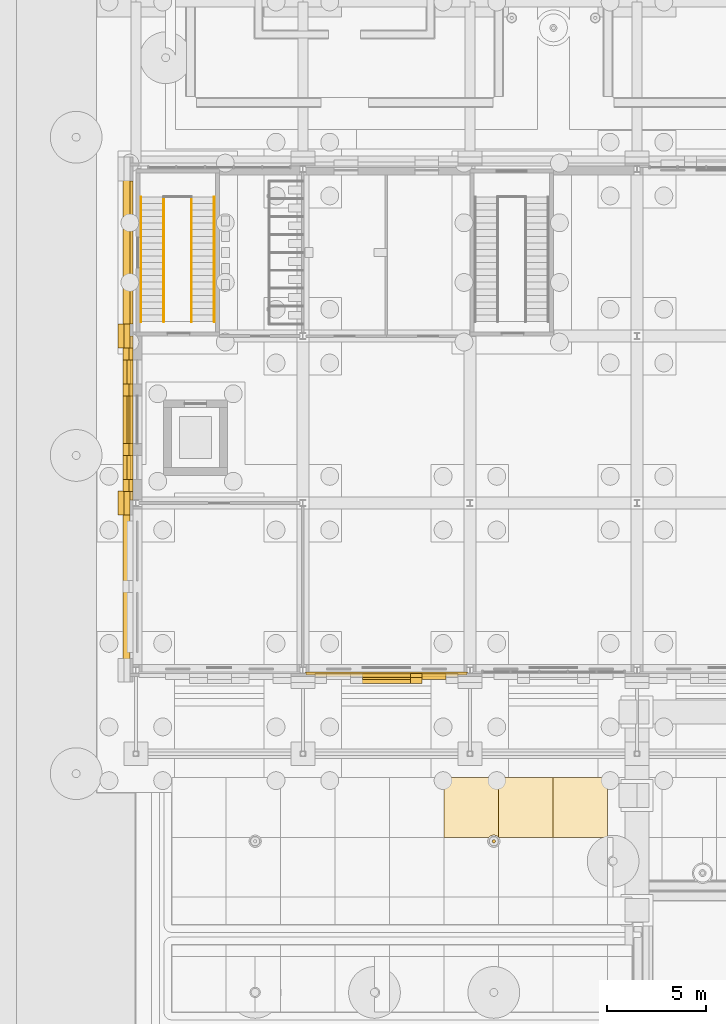
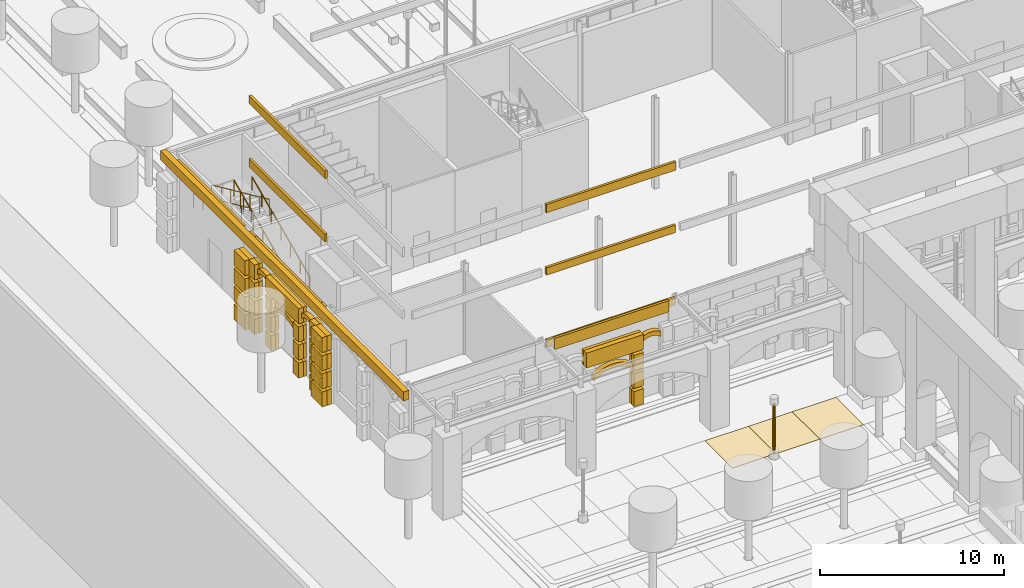
# One storey, part 116 of 222: 73 coverings, 4 railings.
"""IFC4 building model written with IfcOpenShell, lengths in metres."""

from ifc_helpers import new_model, si_unit, direction, frame, origin, origin_2d, place, context, subcontext, project, spatial, polyline, rectangle, circle, outline, extrude, material, layer, layer_set, type_object, element, save


model = new_model("IFC4")

# Units and contexts
model_context = context("Model", 3, precision=1e-05, world=origin(), true_north=direction((0.0, 1.0)))
body_context = subcontext(model_context, "Body", "Model", "MODEL_VIEW")
ifc_project = project(units=[si_unit("LENGTHUNIT", "METRE"), si_unit("AREAUNIT", "SQUARE_METRE"), si_unit("VOLUMEUNIT", "CUBIC_METRE"), si_unit("PLANEANGLEUNIT", "RADIAN"), si_unit("MASSUNIT", "GRAM", prefix="KILO")], contexts=[model_context])

# Site, building, storey
site_placement = place(None, origin())
site = spatial("IfcSite", under=ifc_project, at=site_placement, CompositionType="ELEMENT")
building_placement = place(site_placement, origin())
building = spatial("IfcBuilding", under=site, at=building_placement, Name="Sava Quay Ferry Terminal", CompositionType="ELEMENT")
storey_placement = place(building_placement, origin())
storey = spatial("IfcBuildingStorey", under=building, at=storey_placement, Name="L00", CompositionType="ELEMENT", Elevation=0.0)

# Coverings
ifc_material_1 = material(Name="Limestone Mutalj", Category="masonry")
ifc_layer_1 = layer(ifc_material_1, 0.300048828125)
ifc_layer_set_1 = layer_set([ifc_layer_1], Name="Limestone Mutalj")
covering_type_1 = type_object("IfcCoveringType", Name="Arch band 280", PredefinedType="MOLDING", material=ifc_layer_set_1)
covering_1_placement = place(storey_placement, frame((11.39990234375, 24.739990234375, 2.39990234375), z_axis=(0.0, -1.0, 0.0), x_axis=(0.781799047793, 0.0, 0.623530471485)))
element("IfcCovering", 1, at=covering_1_placement, inside=storey, type_object=covering_type_1, Name="Arch band", PredefinedType="MOLDING", context=body_context, shape_type="SweptSolid", body=[
    extrude(outline(polyline([(0.0, 0.0), (0.30697176602161635, 0.0), (0.5774085434796663, -0.04580853795661438), (0.8203304901851645, -0.12650744631600952), (1.0396182836542218, -0.23644793741188397), (1.2375940004611985, -0.37311007564911686), (1.4148665570821546, -0.5357303853950979), (1.57082703704103, -0.7250723422824374), (1.7033442326716173, -0.9438081110252711), (1.8081557286415, -1.1972820210518706), (1.8764322360478165, -1.4965644690350846), (2.1040147689750315, -1.2112154513470075), (2.0113816025263374, -0.9424720286682031), (1.8924127984880728, -0.7067489270997916), (1.7513707721926535, -0.4987018172135014), (1.590995647782347, -0.31489505866258605), (1.4122007999712425, -0.1541834379981306), (1.2157473743544143, -0.01561261067937214), (1.000874225336788, 0.09986307875292655), (0.766477109296122, 0.19125064596886504), (0.5101976399064538, 0.2548099923836675), (0.2275825329272151, 0.2853490176880771), (0.0, 0.0)])), origin(), (0.0, 0.0, -1.0), 0.300048828125),
])
covering_2_placement = place(storey_placement, frame((14.39990234375, 24.739990234375, 3.89990234375), z_axis=(0.0, -1.0, 0.0), x_axis=(0.766686318179, 0.0, 0.642021876199)))
element("IfcCovering", 2, at=covering_2_placement, inside=storey, type_object=covering_type_1, Name="Arch band", PredefinedType="MOLDING", context=body_context, shape_type="SweptSolid", body=[
    extrude(outline(polyline([(0.0, 0.0), (0.15667057654730215, -1.3877787807814457e-17), (0.29293404656438327, -0.02398938309786766), (0.414337308134961, -0.06610472040016957), (0.5230139006591377, -0.1230376562322823), (0.6205921316676617, -0.19360424362325043), (0.7071983091278714, -0.2772733803971569), (0.7823317665186302, -0.3742626814856812), (0.8451129134167863, -0.48638306834825396), (0.8926594933146406, -0.6163159221710233), (0.9201733252360722, -0.7705516463358979), (1.1491757571516024, -0.49708272278628407), (1.0994043308893047, -0.3694264559410845), (1.0385345431113546, -0.2554038406547403), (0.9677594714851411, -0.1528295969140227), (0.8883939362971753, -0.06089413630177459), (0.8003770662378966, 0.021090386980039788), (0.7042095278284416, 0.09334158786309998), (0.5997650131014718, 0.15532836417148896), (0.4863556762589516, 0.20698984459564596), (0.3634154141219664, 0.2468894662299388), (0.22900243191553027, 0.27346892354961383), (0.0, 0.0)])), origin(), (0.0, 0.0, -1.0), 0.300048828125),
])
covering_3_placement = place(storey_placement, frame((-0.14990234375, 36.60009765625, 2.39990234375), z_axis=(1.0, 0.0, 0.0), x_axis=(0.0, 0.781799047793, 0.623530471485)))
element("IfcCovering", 3, at=covering_3_placement, inside=storey, type_object=covering_type_1, Name="Arch band", PredefinedType="MOLDING", context=body_context, shape_type="SweptSolid", body=[
    extrude(outline(polyline([(0.0, 0.0), (0.30697176602161635, 0.0), (0.5774085434796663, -0.04580853795661438), (0.820139621277012, -0.12635521719699466), (1.0394274147460691, -0.23629570829286917), (1.237403131553046, -0.37295784653010206), (1.4146756881740021, -0.5355781562760831), (1.5706361681328775, -0.7249201131634224), (1.7031533637634648, -0.9436558819062563), (1.8079648597333475, -1.1971297919328558), (1.876241367139664, -1.4964122399160698), (2.103823900066879, -1.2110632222279927), (2.011190733618185, -0.9423197995491883), (1.8922219295799203, -0.7065966979807768), (1.751179903284501, -0.49854958809448635), (1.5908047788741946, -0.31474282954357125), (1.41200993106309, -0.1540312088791158), (1.2155565054462616, -0.015460381560357339), (1.0006833564286355, 0.1000153078719414), (0.766477109296122, 0.19125064596886504), (0.5101976399064538, 0.2548099923836675), (0.2275825329272151, 0.2853490176880771), (0.0, 0.0)])), origin(), (0.0, 0.0, -1.0), 0.300048828125),
])
for number, where, z_axis, x_axis, name in (
    (4, (-0.14990234375, 34.800048828125, 3.89990234375), (1.0, 0.0, 0.0), (0.0, 0.766042844353, 0.642789515017), "Arch band"),
    (5, (-0.14990234375, 39.60009765625, 3.89990234375), (1.0, 0.0, 0.0), (0.0, 0.766042844353, 0.642789515017), "Arch band"),
):
    element("IfcCovering", number, at=place(storey_placement, frame(where, z_axis=z_axis, x_axis=x_axis)), inside=storey, type_object=covering_type_1, Name=name, PredefinedType="MOLDING", context=body_context, shape_type="SweptSolid", body=[
        extrude(outline(polyline([(0.0, 0.0), (0.1564834757725232, 0.0), (0.29290987034562144, -0.02428279209876255), (0.4140838634817109, -0.06636278232810475), (0.522890396081421, -0.12356147789515273), (0.6202108720586751, -0.19406883930165053), (0.706733197838947, -0.2778246842578833), (0.781769466996763, -0.374889195053566), (0.8444382756181996, -0.4870724111869544), (0.8918546828026273, -0.6170528254509224), (0.9192140087876302, -0.771316031813653), (1.14849024937354, -0.4980766285911245), (1.098846716569099, -0.3703705716175788), (1.0380911714997962, -0.2562870425513622), (0.9674188801474346, -0.15364195753662468), (0.8881454730732465, -0.0616270455684631), (0.8002107679875174, 0.020445599778596002), (0.7043026713157206, 0.09263616079426751), (0.5997332766323826, 0.15488445518883656), (0.48656276622721817, 0.20650257653682963), (0.3634755095389949, 0.24668225383334366), (0.2292762405859099, 0.27323940322252854), (0.0, 0.0)])), origin(), (0.0, 0.0, -1.0), 0.300048828125),
    ])
ifc_material_2 = material(Name="Limestone Mutalj", Category="masonry")
ifc_layer_2 = layer(ifc_material_2, 0.35009765625)
ifc_layer_set_2 = layer_set([ifc_layer_2], Name="Limestone Mutalj")
covering_type_2 = type_object("IfcCoveringType", Name="Base course 600", PredefinedType="MOLDING", material=ifc_layer_set_2)
covering_4_placement = place(storey_placement, frame((-0.47509765625, 37.800048828125, 5.39990234375), z_axis=(0.0, 0.0, 1.0), x_axis=(1.0, 0.0, 0.0)))
element("IfcCovering", 6, at=covering_4_placement, inside=storey, type_object=covering_type_2, Name="Base course W W", PredefinedType="MOLDING", context=body_context, shape_type="SweptSolid", body=[
    extrude(rectangle(XDim=0.35009765625, YDim=26.39990234375, at=origin_2d()), origin(), (0.0, 0.0, 1.0), 0.60009765625),
])
ifc_material_3 = material(Name="Limestone Mutalj", Category="masonry")
ifc_layer_3 = layer(ifc_material_3, 0.030029296875)
ifc_layer_set_3 = layer_set([ifc_layer_3], Name="Limestone Mutalj")
covering_type_3 = type_object("IfcCoveringType", Name="Court paving tile 30", PredefinedType="FLOORING", material=ifc_layer_set_3)
covering_5_placement = place(storey_placement, origin())
element("IfcCovering", 7, at=covering_5_placement, inside=storey, type_object=covering_type_3, Name="Limestone paving tile", PredefinedType="FLOORING", context=body_context, shape_type="SweptSolid", body=[
    extrude(outline(polyline([(18.239990234375, 16.800048828125), (18.239990234375, 19.800048828125), (15.5, 19.800048828125), (15.5, 16.800048828125), (17.762939453125, 16.800048828125), (17.781005859375, 16.820068359375), (17.802978515625, 16.839111328125), (17.826904296875, 16.85693359375), (17.85302734375, 16.873046875), (17.881103515625, 16.885986328125), (17.909912109375, 16.89599609375), (17.93994140625, 16.904052734375), (17.969970703125, 16.908935546875), (18.0, 16.909912109375), (18.031005859375, 16.907958984375), (18.06103515625, 16.904052734375), (18.090087890625, 16.89599609375), (18.118896484375, 16.885986328125), (18.14697265625, 16.873046875), (18.173095703125, 16.85693359375), (18.197021484375, 16.839111328125), (18.218994140625, 16.820068359375), (18.237060546875, 16.800048828125), (18.239990234375, 16.800048828125)])), origin(), (0.0, 0.0, 1.0), 0.030029296875),
])
covering_6_placement = place(storey_placement, origin())
element("IfcCovering", 8, at=covering_6_placement, inside=storey, type_object=covering_type_3, Name="Limestone paving tile", PredefinedType="FLOORING", context=body_context, shape_type="SweptSolid", body=[
    extrude(outline(polyline([(23.719970703125, 16.800048828125), (23.719970703125, 19.800048828125), (20.97998046875, 19.800048828125), (20.97998046875, 16.800048828125), (23.719970703125, 16.800048828125)])), origin(), (0.0, 0.0, 1.0), 0.030029296875),
])
ifc_material_4 = material(Name="Red sandstone Vrsac", Category="masonry")
ifc_layer_4 = layer(ifc_material_4, 0.030029296875)
ifc_layer_set_4 = layer_set([ifc_layer_4], Name="Red sandstone Vrsac")
covering_type_4 = type_object("IfcCoveringType", Name="Court paving tile sandstone 30", PredefinedType="FLOORING", material=ifc_layer_set_4)
covering_7_placement = place(storey_placement, origin())
element("IfcCovering", 9, at=covering_7_placement, inside=storey, type_object=covering_type_4, Name="Sandstone paving tile", PredefinedType="FLOORING", context=body_context, shape_type="SweptSolid", body=[
    extrude(outline(polyline([(20.97998046875, 16.800048828125), (20.97998046875, 19.800048828125), (18.239990234375, 19.800048828125), (18.239990234375, 16.800048828125), (20.97998046875, 16.800048828125)])), origin(), (0.0, 0.0, 1.0), 0.030029296875),
])

# Railings
ifc_material_5 = material(Name="Steel S355", Category="steel")
railing_type_1 = type_object("IfcRailingType", Name="Guard 1100", PredefinedType="GUARDRAIL", material=ifc_material_5)
railing_1_placement = place(storey_placement, frame((2.800048828125, 42.72998046875, 0.14990234375)))
element("IfcRailing", 10, at=railing_1_placement, inside=storey, type_object=railing_type_1, Name="Guard at stair well ST-W1 L00", PredefinedType="GUARDRAIL", context=body_context, shape_type="SweptSolid", body=[
    extrude(circle(Radius=0.02392578125, at=origin_2d()), frame((0.0, 0.0, 1.076171875), z_axis=(0.0, 0.910361621584, 0.413813627068), x_axis=(-1.0, 0.0, 0.0)), (0.0, 0.0, 1.0), 6.887451171875),
    extrude(circle(Radius=0.02099609375, at=origin_2d()), origin(), (0.0, 0.0, 1.0), 1.052001953125),
    extrude(circle(Radius=0.02099609375, at=origin_2d()), frame((0.0, 1.044921875, 0.47509765625)), (0.0, 0.0, 1.0), 1.052001953125),
    extrude(circle(Radius=0.02099609375, at=origin_2d()), frame((0.0, 2.090087890625, 0.949951171875)), (0.0, 0.0, 1.0), 1.052001953125),
    extrude(circle(Radius=0.02099609375, at=origin_2d()), frame((0.0, 3.135009765625, 1.425048828125)), (0.0, 0.0, 1.0), 1.052001953125),
    extrude(circle(Radius=0.02099609375, at=origin_2d()), frame((0.0, 4.179931640625, 1.900146484375)), (0.0, 0.0, 1.0), 1.052001953125),
    extrude(circle(Radius=0.02099609375, at=origin_2d()), frame((0.0, 5.22509765625, 2.375)), (0.0, 0.0, 1.0), 1.052001953125),
    extrude(circle(Radius=0.02099609375, at=origin_2d()), frame((0.0, 6.27001953125, 2.85009765625)), (0.0, 0.0, 1.0), 1.052001953125),
])
railing_2_placement = place(storey_placement, frame((1.39990234375, 49.0, 3.14990234375)))
element("IfcRailing", 11, at=railing_2_placement, inside=storey, type_object=railing_type_1, Name="Guard at stair well ST-W1 L00", PredefinedType="GUARDRAIL", context=body_context, shape_type="SweptSolid", body=[
    extrude(circle(Radius=0.02392578125, at=origin_2d()), frame((0.0, 0.0, 1.076171875), z_axis=(0.0, -0.910361621584, 0.413813627068), x_axis=(1.0, 0.0, 0.0)), (0.0, 0.0, 1.0), 6.887451171875),
    extrude(circle(Radius=0.02099609375, at=origin_2d()), origin(), (0.0, 0.0, 1.0), 1.052001953125),
    extrude(circle(Radius=0.02099609375, at=origin_2d()), frame((0.0, -1.044921875, 0.47509765625)), (0.0, 0.0, 1.0), 1.052001953125),
    extrude(circle(Radius=0.02099609375, at=origin_2d()), frame((0.0, -2.090087890625, 0.949951171875)), (0.0, 0.0, 1.0), 1.052001953125),
    extrude(circle(Radius=0.02099609375, at=origin_2d()), frame((0.0, -3.135009765625, 1.425048828125)), (0.0, 0.0, 1.0), 1.052001953125),
    extrude(circle(Radius=0.02099609375, at=origin_2d()), frame((0.0, -4.179931640625, 1.900146484375)), (0.0, 0.0, 1.0), 1.052001953125),
    extrude(circle(Radius=0.02099609375, at=origin_2d()), frame((0.0, -5.22509765625, 2.375)), (0.0, 0.0, 1.0), 1.052001953125),
    extrude(circle(Radius=0.02099609375, at=origin_2d()), frame((0.0, -6.27001953125, 2.85009765625)), (0.0, 0.0, 1.0), 1.052001953125),
])

# Coverings
ifc_material_6 = material(Name="Steel S355", Category="steel")
ifc_layer_5 = layer(ifc_material_6, 0.159912109375)
ifc_layer_set_5 = layer_set([ifc_layer_5], Name="Steel S355")
covering_type_5 = type_object("IfcCoveringType", Name="Lamp standard column 160", PredefinedType="CLADDING", material=ifc_layer_set_5)
covering_8_placement = place(storey_placement, frame((18.0, 16.60009765625, 3.550048828125), z_axis=(0.0, 0.0, -1.0), x_axis=(1.0, 0.0, 0.0)))
element("IfcCovering", 12, at=covering_8_placement, inside=storey, type_object=covering_type_5, Name="Lamp standard column", PredefinedType="CLADDING", context=body_context, shape_type="SweptSolid", body=[
    extrude(circle(Radius=0.080078125, at=origin_2d()), origin(), (0.0, 0.0, 1.0), 3.050048828125),
])
ifc_material_7 = material(Name="Limestone Mutalj", Category="masonry")
ifc_layer_6 = layer(ifc_material_7, 0.14990234375)
ifc_layer_set_6 = layer_set([ifc_layer_6], Name="Limestone Mutalj")
covering_type_6 = type_object("IfcCoveringType", Name="Limestone string course 150", PredefinedType="CLADDING", material=ifc_layer_set_6)
covering_9_placement = place(storey_placement, frame((0.0, 0.0, 5.25)))
element("IfcCovering", 13, at=covering_9_placement, inside=storey, type_object=covering_type_6, Name="String course W-S", PredefinedType="CLADDING", context=body_context, shape_type="SweptSolid", body=[
    extrude(outline(polyline([(9.0, 25.0400390625), (16.199951171875, 25.0400390625), (16.199951171875, 24.889892578125), (9.0, 24.889892578125), (9.0, 25.0400390625)])), origin(), (0.0, 0.0, 1.0), 0.75),
])
covering_10_placement = place(storey_placement, frame((0.0, 0.0, 5.25)))
element("IfcCovering", 14, at=covering_10_placement, inside=storey, type_object=covering_type_6, Name="String course W-W", PredefinedType="CLADDING", context=body_context, shape_type="SweptSolid", body=[
    extrude(outline(polyline([(-0.14990234375, 34.199951171875), (-0.14990234375, 41.39990234375), (-0.300048828125, 41.39990234375), (-0.300048828125, 34.199951171875), (-0.14990234375, 34.199951171875)])), origin(), (0.0, 0.0, 1.0), 0.75),
])
covering_11_placement = place(storey_placement, frame((0.0, 0.0, 5.25)))
element("IfcCovering", 15, at=covering_11_placement, inside=storey, type_object=covering_type_6, Name="String course W-W", PredefinedType="CLADDING", context=body_context, shape_type="SweptSolid", body=[
    extrude(outline(polyline([(-0.14990234375, 42.60009765625), (-0.14990234375, 49.800048828125), (-0.300048828125, 49.800048828125), (-0.300048828125, 42.60009765625), (-0.14990234375, 42.60009765625)])), origin(), (0.0, 0.0, 1.0), 0.75),
])
ifc_material_8 = material(Name="Limestone Mutalj", Category="masonry")
ifc_layer_7 = layer(ifc_material_8, 0.300048828125)
ifc_layer_set_7 = layer_set([ifc_layer_7], Name="Limestone Mutalj")
covering_type_7 = type_object("IfcCoveringType", Name="Rusticated course deepening 300", PredefinedType="CLADDING", material=ifc_layer_set_7)
for number, where, z_axis, x_axis, name in (
    (16, (-0.75, 33.60009765625, 0.0), (0.0, 0.0, 1.0), (1.0, 0.0, 0.0), "Rusticated course deepening"),
    (17, (-0.75, 33.60009765625, 1.199951171875), (0.0, 0.0, 1.0), (1.0, 0.0, 0.0), "Rusticated course deepening"),
    (18, (-0.75, 33.60009765625, 2.39990234375), (0.0, 0.0, 1.0), (1.0, 0.0, 0.0), "Rusticated course deepening"),
    (19, (-0.75, 33.60009765625, 3.60009765625), (0.0, 0.0, 1.0), (1.0, 0.0, 0.0), "Rusticated course deepening"),
    (20, (-0.75, 42.0, 0.0), (0.0, 0.0, 1.0), (1.0, 0.0, 0.0), "Rusticated course deepening"),
    (21, (-0.75, 42.0, 1.199951171875), (0.0, 0.0, 1.0), (1.0, 0.0, 0.0), "Rusticated course deepening"),
    (22, (-0.75, 42.0, 2.39990234375), (0.0, 0.0, 1.0), (1.0, 0.0, 0.0), "Rusticated course deepening"),
    (23, (-0.75, 42.0, 3.60009765625), (0.0, 0.0, 1.0), (1.0, 0.0, 0.0), "Rusticated course deepening"),
):
    element("IfcCovering", number, at=place(storey_placement, frame(where, z_axis=z_axis, x_axis=x_axis)), inside=storey, type_object=covering_type_7, Name=name, PredefinedType="CLADDING", context=body_context, shape_type="SweptSolid", body=[
        extrude(rectangle(XDim=0.300048828125, YDim=1.199951171875, at=origin_2d()), origin(), (0.0, 0.0, 1.0), 1.0),
    ])
for number, where, z_axis, x_axis, name in (
    (24, (14.10009765625, 24.68994140625, 0.0), (0.0, 0.0, 1.0), (1.0, 0.0, 0.0), "Rusticated course deepening"),
    (25, (14.10009765625, 24.68994140625, 1.199951171875), (0.0, 0.0, 1.0), (1.0, 0.0, 0.0), "Rusticated course deepening"),
    (26, (14.10009765625, 24.68994140625, 2.39990234375), (0.0, 0.0, 1.0), (1.0, 0.0, 0.0), "Rusticated course deepening"),
):
    element("IfcCovering", number, at=place(storey_placement, frame(where, z_axis=z_axis, x_axis=x_axis)), inside=storey, type_object=covering_type_7, Name=name, PredefinedType="CLADDING", context=body_context, shape_type="SweptSolid", body=[
        extrude(rectangle(XDim=0.60009765625, YDim=0.300048828125, at=origin_2d()), origin(), (0.0, 0.0, 1.0), 1.0),
    ])
covering_12_placement = place(storey_placement, frame((12.60009765625, 24.68994140625, 3.60009765625), z_axis=(0.0, 0.0, 1.0), x_axis=(1.0, 0.0, 0.0)))
element("IfcCovering", 27, at=covering_12_placement, inside=storey, type_object=covering_type_7, Name="Rusticated course deepening", PredefinedType="CLADDING", context=body_context, shape_type="SweptSolid", body=[
    extrude(rectangle(XDim=3.60009765625, YDim=0.300048828125, at=origin_2d()), origin(), (0.0, 0.0, 1.0), 1.0),
])
for number, where, z_axis, x_axis, name in (
    (28, (-0.5, 34.5, 0.0), (0.0, 0.0, 1.0), (1.0, 0.0, 0.0), "Rusticated course deepening"),
    (29, (-0.5, 36.300048828125, 0.0), (0.0, 0.0, 1.0), (1.0, 0.0, 0.0), "Rusticated course deepening"),
    (30, (-0.5, 39.300048828125, 0.0), (0.0, 0.0, 1.0), (1.0, 0.0, 0.0), "Rusticated course deepening"),
    (31, (-0.5, 41.10009765625, 0.0), (0.0, 0.0, 1.0), (1.0, 0.0, 0.0), "Rusticated course deepening"),
    (32, (-0.5, 34.5, 1.199951171875), (0.0, 0.0, 1.0), (1.0, 0.0, 0.0), "Rusticated course deepening"),
    (33, (-0.5, 36.300048828125, 1.199951171875), (0.0, 0.0, 1.0), (1.0, 0.0, 0.0), "Rusticated course deepening"),
    (34, (-0.5, 39.300048828125, 1.199951171875), (0.0, 0.0, 1.0), (1.0, 0.0, 0.0), "Rusticated course deepening"),
    (35, (-0.5, 41.10009765625, 1.199951171875), (0.0, 0.0, 1.0), (1.0, 0.0, 0.0), "Rusticated course deepening"),
    (36, (-0.5, 34.5, 2.39990234375), (0.0, 0.0, 1.0), (1.0, 0.0, 0.0), "Rusticated course deepening"),
    (37, (-0.5, 36.300048828125, 2.39990234375), (0.0, 0.0, 1.0), (1.0, 0.0, 0.0), "Rusticated course deepening"),
    (38, (-0.5, 39.300048828125, 2.39990234375), (0.0, 0.0, 1.0), (1.0, 0.0, 0.0), "Rusticated course deepening"),
    (39, (-0.5, 41.10009765625, 2.39990234375), (0.0, 0.0, 1.0), (1.0, 0.0, 0.0), "Rusticated course deepening"),
    (40, (-0.5, 34.5, 3.60009765625), (0.0, 0.0, 1.0), (1.0, 0.0, 0.0), "Rusticated course deepening"),
):
    element("IfcCovering", number, at=place(storey_placement, frame(where, z_axis=z_axis, x_axis=x_axis)), inside=storey, type_object=covering_type_7, Name=name, PredefinedType="CLADDING", context=body_context, shape_type="SweptSolid", body=[
        extrude(rectangle(XDim=0.300048828125, YDim=0.60009765625, at=origin_2d()), origin(), (0.0, 0.0, 1.0), 1.0),
    ])
covering_13_placement = place(storey_placement, frame((-0.5, 37.800048828125, 3.60009765625), z_axis=(0.0, 0.0, 1.0), x_axis=(1.0, 0.0, 0.0)))
element("IfcCovering", 41, at=covering_13_placement, inside=storey, type_object=covering_type_7, Name="Rusticated course deepening", PredefinedType="CLADDING", context=body_context, shape_type="SweptSolid", body=[
    extrude(rectangle(XDim=0.300048828125, YDim=3.60009765625, at=origin_2d()), origin(), (0.0, 0.0, 1.0), 1.0),
])
covering_14_placement = place(storey_placement, frame((-0.5, 41.10009765625, 3.60009765625), z_axis=(0.0, 0.0, 1.0), x_axis=(1.0, 0.0, 0.0)))
element("IfcCovering", 42, at=covering_14_placement, inside=storey, type_object=covering_type_7, Name="Rusticated course deepening", PredefinedType="CLADDING", context=body_context, shape_type="SweptSolid", body=[
    extrude(rectangle(XDim=0.300048828125, YDim=0.60009765625, at=origin_2d()), origin(), (0.0, 0.0, 1.0), 1.0),
])
ifc_material_9 = material(Name="Limestone Mutalj", Category="masonry")
ifc_layer_8 = layer(ifc_material_9, 0.300048828125)
ifc_layer_set_8 = layer_set([ifc_layer_8], Name="Limestone Mutalj")
covering_type_8 = type_object("IfcCoveringType", Name="Rusticated pier course 300", PredefinedType="CLADDING", material=ifc_layer_set_8)
for number, where, z_axis, x_axis, name in (
    (43, (-0.449951171875, 33.60009765625, 0.0), (0.0, 0.0, 1.0), (1.0, 0.0, 0.0), "Rusticated pier course"),
    (44, (-0.449951171875, 33.60009765625, 1.199951171875), (0.0, 0.0, 1.0), (1.0, 0.0, 0.0), "Rusticated pier course"),
    (45, (-0.449951171875, 33.60009765625, 2.39990234375), (0.0, 0.0, 1.0), (1.0, 0.0, 0.0), "Rusticated pier course"),
    (46, (-0.449951171875, 33.60009765625, 3.60009765625), (0.0, 0.0, 1.0), (1.0, 0.0, 0.0), "Rusticated pier course"),
    (47, (-0.449951171875, 42.0, 0.0), (0.0, 0.0, 1.0), (1.0, 0.0, 0.0), "Rusticated pier course"),
    (48, (-0.449951171875, 42.0, 1.199951171875), (0.0, 0.0, 1.0), (1.0, 0.0, 0.0), "Rusticated pier course"),
    (49, (-0.449951171875, 42.0, 2.39990234375), (0.0, 0.0, 1.0), (1.0, 0.0, 0.0), "Rusticated pier course"),
    (50, (-0.449951171875, 42.0, 3.60009765625), (0.0, 0.0, 1.0), (1.0, 0.0, 0.0), "Rusticated pier course"),
):
    element("IfcCovering", number, at=place(storey_placement, frame(where, z_axis=z_axis, x_axis=x_axis)), inside=storey, type_object=covering_type_8, Name=name, PredefinedType="CLADDING", context=body_context, shape_type="SweptSolid", body=[
        extrude(rectangle(XDim=0.300048828125, YDim=1.199951171875, at=origin_2d()), origin(), (0.0, 0.0, 1.0), 1.0),
    ])
ifc_material_10 = material(Name="Limestone Mutalj", Category="masonry")
ifc_layer_9 = layer(ifc_material_10, 0.199951171875)
ifc_layer_set_9 = layer_set([ifc_layer_9], Name="Limestone Mutalj")
covering_type_9 = type_object("IfcCoveringType", Name="Rusticated wall course 200", PredefinedType="CLADDING", material=ifc_layer_set_9)
for number, where, z_axis, x_axis, name in (
    (51, (14.10009765625, 24.93994140625, 0.0), (0.0, 0.0, 1.0), (1.0, 0.0, 0.0), "Rusticated wall course"),
    (52, (14.10009765625, 24.93994140625, 1.199951171875), (0.0, 0.0, 1.0), (1.0, 0.0, 0.0), "Rusticated wall course"),
    (53, (14.10009765625, 24.93994140625, 2.39990234375), (0.0, 0.0, 1.0), (1.0, 0.0, 0.0), "Rusticated wall course"),
):
    element("IfcCovering", number, at=place(storey_placement, frame(where, z_axis=z_axis, x_axis=x_axis)), inside=storey, type_object=covering_type_9, Name=name, PredefinedType="CLADDING", context=body_context, shape_type="SweptSolid", body=[
        extrude(rectangle(XDim=0.60009765625, YDim=0.199951171875, at=origin_2d()), origin(), (0.0, 0.0, 1.0), 1.0),
    ])
covering_15_placement = place(storey_placement, frame((12.60009765625, 24.93994140625, 3.60009765625), z_axis=(0.0, 0.0, 1.0), x_axis=(1.0, 0.0, 0.0)))
element("IfcCovering", 54, at=covering_15_placement, inside=storey, type_object=covering_type_9, Name="Rusticated wall course", PredefinedType="CLADDING", context=body_context, shape_type="SweptSolid", body=[
    extrude(rectangle(XDim=3.60009765625, YDim=0.199951171875, at=origin_2d()), origin(), (0.0, 0.0, 1.0), 1.0),
])
for number, where, z_axis, x_axis, name in (
    (55, (-0.25, 34.5, 0.0), (0.0, 0.0, 1.0), (1.0, 0.0, 0.0), "Rusticated wall course"),
    (56, (-0.25, 36.300048828125, 0.0), (0.0, 0.0, 1.0), (1.0, 0.0, 0.0), "Rusticated wall course"),
    (57, (-0.25, 39.300048828125, 0.0), (0.0, 0.0, 1.0), (1.0, 0.0, 0.0), "Rusticated wall course"),
    (58, (-0.25, 41.10009765625, 0.0), (0.0, 0.0, 1.0), (1.0, 0.0, 0.0), "Rusticated wall course"),
    (59, (-0.25, 34.5, 1.199951171875), (0.0, 0.0, 1.0), (1.0, 0.0, 0.0), "Rusticated wall course"),
    (60, (-0.25, 36.300048828125, 1.199951171875), (0.0, 0.0, 1.0), (1.0, 0.0, 0.0), "Rusticated wall course"),
    (61, (-0.25, 39.300048828125, 1.199951171875), (0.0, 0.0, 1.0), (1.0, 0.0, 0.0), "Rusticated wall course"),
    (62, (-0.25, 41.10009765625, 1.199951171875), (0.0, 0.0, 1.0), (1.0, 0.0, 0.0), "Rusticated wall course"),
    (63, (-0.25, 34.5, 2.39990234375), (0.0, 0.0, 1.0), (1.0, 0.0, 0.0), "Rusticated wall course"),
    (64, (-0.25, 36.300048828125, 2.39990234375), (0.0, 0.0, 1.0), (1.0, 0.0, 0.0), "Rusticated wall course"),
    (65, (-0.25, 39.300048828125, 2.39990234375), (0.0, 0.0, 1.0), (1.0, 0.0, 0.0), "Rusticated wall course"),
    (66, (-0.25, 41.10009765625, 2.39990234375), (0.0, 0.0, 1.0), (1.0, 0.0, 0.0), "Rusticated wall course"),
    (67, (-0.25, 34.5, 3.60009765625), (0.0, 0.0, 1.0), (1.0, 0.0, 0.0), "Rusticated wall course"),
):
    element("IfcCovering", number, at=place(storey_placement, frame(where, z_axis=z_axis, x_axis=x_axis)), inside=storey, type_object=covering_type_9, Name=name, PredefinedType="CLADDING", context=body_context, shape_type="SweptSolid", body=[
        extrude(rectangle(XDim=0.199951171875, YDim=0.60009765625, at=origin_2d()), origin(), (0.0, 0.0, 1.0), 1.0),
    ])
covering_16_placement = place(storey_placement, frame((-0.25, 37.800048828125, 3.60009765625), z_axis=(0.0, 0.0, 1.0), x_axis=(1.0, 0.0, 0.0)))
element("IfcCovering", 68, at=covering_16_placement, inside=storey, type_object=covering_type_9, Name="Rusticated wall course", PredefinedType="CLADDING", context=body_context, shape_type="SweptSolid", body=[
    extrude(rectangle(XDim=0.199951171875, YDim=3.60009765625, at=origin_2d()), origin(), (0.0, 0.0, 1.0), 1.0),
])
covering_17_placement = place(storey_placement, frame((-0.25, 41.10009765625, 3.60009765625), z_axis=(0.0, 0.0, 1.0), x_axis=(1.0, 0.0, 0.0)))
element("IfcCovering", 69, at=covering_17_placement, inside=storey, type_object=covering_type_9, Name="Rusticated wall course", PredefinedType="CLADDING", context=body_context, shape_type="SweptSolid", body=[
    extrude(rectangle(XDim=0.199951171875, YDim=0.60009765625, at=origin_2d()), origin(), (0.0, 0.0, 1.0), 1.0),
])
ifc_material_11 = material(Name="Limestone Mutalj", Category="masonry")
ifc_layer_10 = layer(ifc_material_11, 0.14990234375)
ifc_layer_set_10 = layer_set([ifc_layer_10], Name="Limestone Mutalj")
covering_type_10 = type_object("IfcCoveringType", Name="Slab edge fascia 150", PredefinedType="CLADDING", material=ifc_layer_set_10)
covering_18_placement = place(storey_placement, frame((0.0, 0.0, 5.47998046875)))
element("IfcCovering", 70, at=covering_18_placement, inside=storey, type_object=covering_type_10, Name="Slab edge fascia", PredefinedType="CLADDING", context=body_context, shape_type="SweptSolid", body=[
    extrude(outline(polyline([(-0.298095703125, 33.760009765625), (-0.14794921875, 33.760009765625), (-0.14794921875, 42.0), (-0.298095703125, 42.0), (-0.298095703125, 33.760009765625)])), origin(), (0.0, 0.0, 1.0), 0.52001953125),
])
covering_19_placement = place(storey_placement, frame((0.0, 0.0, 5.510009765625)))
element("IfcCovering", 71, at=covering_19_placement, inside=storey, type_object=covering_type_10, Name="Slab edge fascia", PredefinedType="CLADDING", context=body_context, shape_type="SweptSolid", body=[
    extrude(outline(polyline([(16.64990234375, 25.116943359375), (8.550048828125, 25.116943359375), (8.550048828125, 24.967041015625), (16.64990234375, 24.967041015625), (16.64990234375, 25.116943359375)])), origin(), (0.0, 0.0, 1.0), 0.489990234375),
])
covering_20_placement = place(storey_placement, frame((0.0, 0.0, 10.280029296875)))
element("IfcCovering", 72, at=covering_20_placement, inside=storey, type_object=covering_type_10, Name="Slab edge fascia", PredefinedType="CLADDING", context=body_context, shape_type="SweptSolid", body=[
    extrude(outline(polyline([(-0.298095703125, 33.75), (-0.14794921875, 33.75), (-0.14794921875, 42.0), (-0.298095703125, 42.0), (-0.298095703125, 33.75)])), origin(), (0.0, 0.0, 1.0), 0.52001953125),
])
covering_21_placement = place(storey_placement, frame((0.0, 0.0, 10.31005859375)))
element("IfcCovering", 73, at=covering_21_placement, inside=storey, type_object=covering_type_10, Name="Slab edge fascia", PredefinedType="CLADDING", context=body_context, shape_type="SweptSolid", body=[
    extrude(outline(polyline([(16.64990234375, 25.116943359375), (8.550048828125, 25.116943359375), (8.550048828125, 24.967041015625), (16.64990234375, 24.967041015625), (16.64990234375, 25.116943359375)])), origin(), (0.0, 0.0, 1.0), 0.489990234375),
])
covering_22_placement = place(storey_placement, frame((0.0, 0.0, 14.47998046875)))
element("IfcCovering", 74, at=covering_22_placement, inside=storey, type_object=covering_type_10, Name="Slab edge fascia", PredefinedType="CLADDING", context=body_context, shape_type="SweptSolid", body=[
    extrude(outline(polyline([(-0.298095703125, 33.72998046875), (-0.14794921875, 33.72998046875), (-0.14794921875, 42.0), (-0.298095703125, 42.0), (-0.298095703125, 33.72998046875)])), origin(), (0.0, 0.0, 1.0), 0.52001953125),
])
covering_23_placement = place(storey_placement, frame((0.0, 0.0, 14.449951171875)))
element("IfcCovering", 75, at=covering_23_placement, inside=storey, type_object=covering_type_10, Name="Slab edge fascia", PredefinedType="CLADDING", context=body_context, shape_type="SweptSolid", body=[
    extrude(outline(polyline([(16.669921875, 25.112060546875), (8.530029296875, 25.112060546875), (8.530029296875, 24.9619140625), (16.669921875, 24.9619140625), (16.669921875, 25.112060546875)])), origin(), (0.0, 0.0, 1.0), 0.550048828125),
])

# Railings
ifc_material_12 = material(Name="Steel S355", Category="steel")
railing_type_2 = type_object("IfcRailingType", Name="Stair handrail 900", PredefinedType="HANDRAIL", material=ifc_material_12)
railing_3_placement = place(storey_placement, frame((3.93994140625, 42.72998046875, 0.14990234375)))
element("IfcRailing", 76, at=railing_3_placement, inside=storey, type_object=railing_type_2, Name="Handrail ST-W1 L00", PredefinedType="HANDRAIL", context=body_context, shape_type="SweptSolid", body=[
    extrude(circle(Radius=0.02392578125, at=origin_2d()), frame((0.0, 0.0, 0.8759765625), z_axis=(0.0, 0.910361621584, 0.413813627068), x_axis=(-1.0, 0.0, 0.0)), (0.0, 0.0, 1.0), 6.887451171875),
    extrude(circle(Radius=0.02099609375, at=origin_2d()), origin(), (0.0, 0.0, 1.0), 0.851806640625),
    extrude(circle(Radius=0.02099609375, at=origin_2d()), frame((0.0, 1.044921875, 0.47509765625)), (0.0, 0.0, 1.0), 0.851806640625),
    extrude(circle(Radius=0.02099609375, at=origin_2d()), frame((0.0, 2.090087890625, 0.949951171875)), (0.0, 0.0, 1.0), 0.851806640625),
    extrude(circle(Radius=0.02099609375, at=origin_2d()), frame((0.0, 3.135009765625, 1.425048828125)), (0.0, 0.0, 1.0), 0.851806640625),
    extrude(circle(Radius=0.02099609375, at=origin_2d()), frame((0.0, 4.179931640625, 1.900146484375)), (0.0, 0.0, 1.0), 0.851806640625),
    extrude(circle(Radius=0.02099609375, at=origin_2d()), frame((0.0, 5.22509765625, 2.375)), (0.0, 0.0, 1.0), 0.851806640625),
    extrude(circle(Radius=0.02099609375, at=origin_2d()), frame((0.0, 6.27001953125, 2.85009765625)), (0.0, 0.0, 1.0), 0.851806640625),
])
railing_4_placement = place(storey_placement, frame((0.260009765625, 49.0, 3.14990234375)))
element("IfcRailing", 77, at=railing_4_placement, inside=storey, type_object=railing_type_2, Name="Handrail ST-W1 L00", PredefinedType="HANDRAIL", context=body_context, shape_type="SweptSolid", body=[
    extrude(circle(Radius=0.02392578125, at=origin_2d()), frame((0.0, 0.0, 0.8759765625), z_axis=(0.0, -0.910361621584, 0.413813627068), x_axis=(1.0, 0.0, 0.0)), (0.0, 0.0, 1.0), 6.887451171875),
    extrude(circle(Radius=0.02099609375, at=origin_2d()), origin(), (0.0, 0.0, 1.0), 0.851806640625),
    extrude(circle(Radius=0.02099609375, at=origin_2d()), frame((0.0, -1.044921875, 0.47509765625)), (0.0, 0.0, 1.0), 0.851806640625),
    extrude(circle(Radius=0.02099609375, at=origin_2d()), frame((0.0, -2.090087890625, 0.949951171875)), (0.0, 0.0, 1.0), 0.851806640625),
    extrude(circle(Radius=0.02099609375, at=origin_2d()), frame((0.0, -3.135009765625, 1.425048828125)), (0.0, 0.0, 1.0), 0.851806640625),
    extrude(circle(Radius=0.02099609375, at=origin_2d()), frame((0.0, -4.179931640625, 1.900146484375)), (0.0, 0.0, 1.0), 0.851806640625),
    extrude(circle(Radius=0.02099609375, at=origin_2d()), frame((0.0, -5.22509765625, 2.375)), (0.0, 0.0, 1.0), 0.851806640625),
    extrude(circle(Radius=0.02099609375, at=origin_2d()), frame((0.0, -6.27001953125, 2.85009765625)), (0.0, 0.0, 1.0), 0.851806640625),
])

save(model, "model.ifc")
